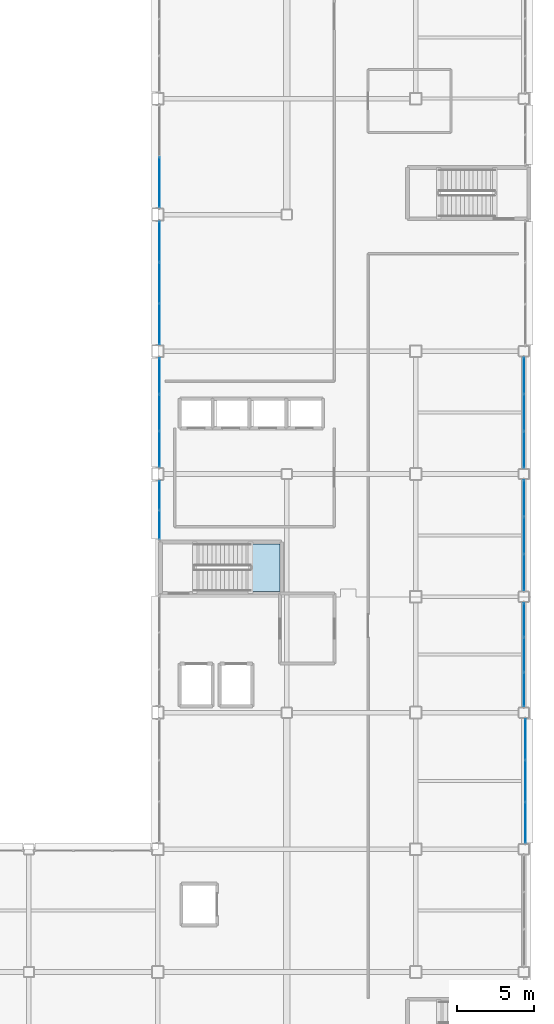
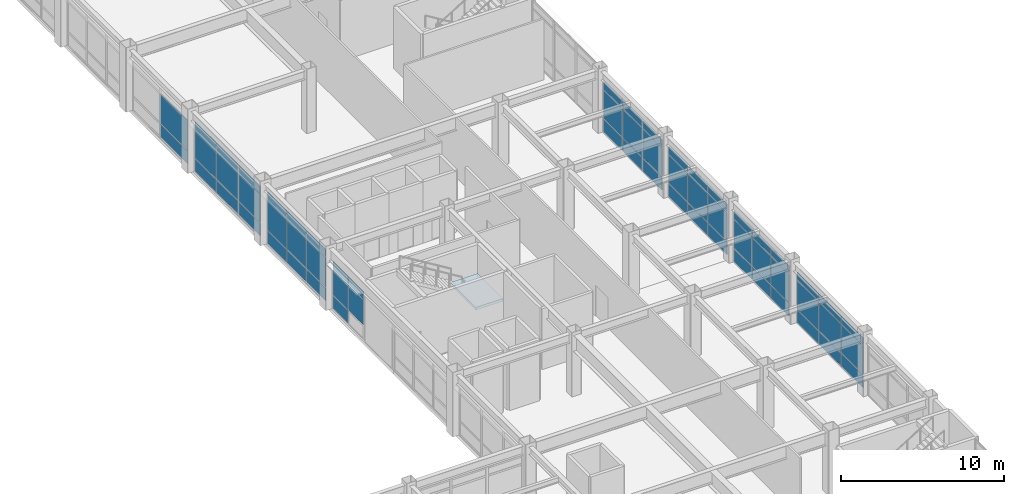
# One storey, part 126 of 154: 61 plates, 1 slab, 9 elements without a shape of their own.
"""IFC4 building model written with IfcOpenShell, lengths in metres."""

from ifc_helpers import new_model, si_unit, direction, frame, origin, origin_2d, place, context, subcontext, project, spatial, polyline, rectangle, outline, extrude, material, layer, layer_set, type_object, element, aggregate, save


model = new_model("IFC4")

# Units and contexts
model_context = context("Model", 3, precision=1e-05, world=origin(), true_north=direction((0.0, 1.0)))
body_context = subcontext(model_context, "Body", "Model", "MODEL_VIEW")
ifc_project = project(units=[si_unit("LENGTHUNIT", "METRE"), si_unit("AREAUNIT", "SQUARE_METRE"), si_unit("VOLUMEUNIT", "CUBIC_METRE"), si_unit("PLANEANGLEUNIT", "RADIAN"), si_unit("MASSUNIT", "GRAM", prefix="KILO")], contexts=[model_context])

# Site, building, storey
site_placement = place(None, origin())
site = spatial("IfcSite", under=ifc_project, at=site_placement, CompositionType="ELEMENT")
building_placement = place(site_placement, origin())
building = spatial("IfcBuilding", under=site, at=building_placement, Name="Kazehara Bluff Congress Hotel", CompositionType="ELEMENT")
storey_placement = place(building_placement, frame((0.0, 0.0, 10.199951171875)))
storey = spatial("IfcBuildingStorey", under=building, at=storey_placement, Name="L02", CompositionType="ELEMENT", Elevation=10.199951171875)

# Curtain wall, plates
ifc_material_1 = material(Name="Anodised aluminium", Category="aluminium")
ifc_layer_1 = layer(ifc_material_1, 0.159912109375)
ifc_layer_set_1 = layer_set([ifc_layer_1], Name="Anodised aluminium")
curtain_wall_type_1 = type_object("IfcCurtainWallType", Name="TP-CW-83", PredefinedType="NOTDEFINED", material=ifc_layer_set_1)
curtain_wall_1_placement = place(storey_placement, origin())
curtain_wall_1 = element("IfcCurtainWall", 1, at=curtain_wall_1_placement, inside=storey, type_object=curtain_wall_type_1, Name="L02 curtain wall CW-83 CW-V5-L02-X16755-4125", PredefinedType="NOTDEFINED")
ifc_material_2 = material(Name="Insulated low-E double glazing", Category="glass")
ifc_layer_2 = layer(ifc_material_2, 0.028076171875)
ifc_layer_set_2 = layer_set([ifc_layer_2], Name="Insulated low-E double glazing")
plate_type_1 = type_object("IfcPlateType", Name="TP-CWP-01", PredefinedType="CURTAIN_PANEL", material=ifc_layer_set_2)
plate_1_placement = place(storey_placement, frame((167.550048828125, 42.407958984375, 0.06494140625), z_axis=(0.0, 0.0, 1.0), x_axis=(0.0, 1.0, 0.0)))
plate_1 = element("IfcPlate", 2, at=plate_1_placement, type_object=plate_type_1, Name="CW-83 panel 1.1", PredefinedType="CURTAIN_PANEL", context=body_context, shape_type="SweptSolid", body=[
    extrude(rectangle(XDim=2.185791015625, YDim=0.028076171875, at=origin_2d()), origin(), (0.0, 0.0, 1.0), 0.952392578125),
])
plate_2_placement = place(storey_placement, frame((167.550048828125, 42.407958984375, 1.08251953125), z_axis=(0.0, 0.0, 1.0), x_axis=(0.0, 1.0, 0.0)))
plate_2 = element("IfcPlate", 3, at=plate_2_placement, type_object=plate_type_1, Name="CW-83 panel 1.2", PredefinedType="CURTAIN_PANEL", context=body_context, shape_type="SweptSolid", body=[
    extrude(rectangle(XDim=2.185791015625, YDim=0.028076171875, at=origin_2d()), origin(), (0.0, 0.0, 1.0), 2.1201171875),
])
plate_3_placement = place(storey_placement, frame((167.550048828125, 42.407958984375, 3.267578125), z_axis=(0.0, 0.0, 1.0), x_axis=(0.0, 1.0, 0.0)))
plate_3 = element("IfcPlate", 4, at=plate_3_placement, type_object=plate_type_1, Name="CW-83 panel 1.3", PredefinedType="CURTAIN_PANEL", context=body_context, shape_type="SweptSolid", body=[
    extrude(rectangle(XDim=2.185791015625, YDim=0.028076171875, at=origin_2d()), origin(), (0.0, 0.0, 1.0), 0.552490234375),
])
plate_4_placement = place(storey_placement, frame((167.550048828125, 44.675048828125, 0.06494140625), z_axis=(0.0, 0.0, 1.0), x_axis=(0.0, 1.0, 0.0)))
plate_4 = element("IfcPlate", 5, at=plate_4_placement, type_object=plate_type_1, Name="CW-83 panel 2.1", PredefinedType="CURTAIN_PANEL", context=body_context, shape_type="SweptSolid", body=[
    extrude(rectangle(XDim=2.21826171875, YDim=0.028076171875, at=origin_2d()), origin(), (0.0, 0.0, 1.0), 0.952392578125),
])
plate_5_placement = place(storey_placement, frame((167.550048828125, 44.675048828125, 1.08251953125), z_axis=(0.0, 0.0, 1.0), x_axis=(0.0, 1.0, 0.0)))
plate_5 = element("IfcPlate", 6, at=plate_5_placement, type_object=plate_type_1, Name="CW-83 panel 2.2", PredefinedType="CURTAIN_PANEL", context=body_context, shape_type="SweptSolid", body=[
    extrude(rectangle(XDim=2.21826171875, YDim=0.028076171875, at=origin_2d()), origin(), (0.0, 0.0, 1.0), 2.1201171875),
])
plate_6_placement = place(storey_placement, frame((167.550048828125, 44.675048828125, 3.267578125), z_axis=(0.0, 0.0, 1.0), x_axis=(0.0, 1.0, 0.0)))
plate_6 = element("IfcPlate", 7, at=plate_6_placement, type_object=plate_type_1, Name="CW-83 panel 2.3", PredefinedType="CURTAIN_PANEL", context=body_context, shape_type="SweptSolid", body=[
    extrude(rectangle(XDim=2.21826171875, YDim=0.028076171875, at=origin_2d()), origin(), (0.0, 0.0, 1.0), 0.552490234375),
])
plate_7_placement = place(storey_placement, frame((167.550048828125, 46.942138671875, 0.06494140625), z_axis=(0.0, 0.0, 1.0), x_axis=(0.0, 1.0, 0.0)))
plate_7 = element("IfcPlate", 8, at=plate_7_placement, type_object=plate_type_1, Name="CW-83 panel 3.1", PredefinedType="CURTAIN_PANEL", context=body_context, shape_type="SweptSolid", body=[
    extrude(rectangle(XDim=2.185791015625, YDim=0.028076171875, at=origin_2d()), origin(), (0.0, 0.0, 1.0), 0.952392578125),
])
plate_8_placement = place(storey_placement, frame((167.550048828125, 46.942138671875, 1.08251953125), z_axis=(0.0, 0.0, 1.0), x_axis=(0.0, 1.0, 0.0)))
plate_8 = element("IfcPlate", 9, at=plate_8_placement, type_object=plate_type_1, Name="CW-83 panel 3.2", PredefinedType="CURTAIN_PANEL", context=body_context, shape_type="SweptSolid", body=[
    extrude(rectangle(XDim=2.185791015625, YDim=0.028076171875, at=origin_2d()), origin(), (0.0, 0.0, 1.0), 2.1201171875),
])
plate_9_placement = place(storey_placement, frame((167.550048828125, 46.942138671875, 3.267578125), z_axis=(0.0, 0.0, 1.0), x_axis=(0.0, 1.0, 0.0)))
plate_9 = element("IfcPlate", 10, at=plate_9_placement, type_object=plate_type_1, Name="CW-83 panel 3.3", PredefinedType="CURTAIN_PANEL", context=body_context, shape_type="SweptSolid", body=[
    extrude(rectangle(XDim=2.185791015625, YDim=0.028076171875, at=origin_2d()), origin(), (0.0, 0.0, 1.0), 0.552490234375),
])
aggregate(curtain_wall_1, [plate_1, plate_2, plate_3, plate_4, plate_5, plate_6, plate_7, plate_8, plate_9])

ifc_material_3 = material(Name="Anodised aluminium", Category="aluminium")
ifc_layer_3 = layer(ifc_material_3, 0.159912109375)
ifc_layer_set_3 = layer_set([ifc_layer_3], Name="Anodised aluminium")
curtain_wall_type_2 = type_object("IfcCurtainWallType", Name="TP-CW-80", PredefinedType="NOTDEFINED", material=ifc_layer_set_3)
curtain_wall_2_placement = place(storey_placement, origin())
curtain_wall_2 = element("IfcCurtainWall", 11, at=curtain_wall_2_placement, inside=storey, type_object=curtain_wall_type_2, Name="L02 curtain wall CW-80 CW-V5-L02-X16755-4880", PredefinedType="NOTDEFINED")
plate_10_placement = place(storey_placement, frame((167.550048828125, 50.032958984375, 0.06494140625), z_axis=(0.0, 0.0, 1.0), x_axis=(0.0, 1.0, 0.0)))
plate_10 = element("IfcPlate", 12, at=plate_10_placement, type_object=plate_type_1, Name="CW-80 panel 1.1", PredefinedType="CURTAIN_PANEL", context=body_context, shape_type="SweptSolid", body=[
    extrude(rectangle(XDim=2.3359375, YDim=0.028076171875, at=origin_2d()), origin(), (0.0, 0.0, 1.0), 0.952392578125),
])
plate_11_placement = place(storey_placement, frame((167.550048828125, 50.032958984375, 1.08251953125), z_axis=(0.0, 0.0, 1.0), x_axis=(0.0, 1.0, 0.0)))
plate_11 = element("IfcPlate", 13, at=plate_11_placement, type_object=plate_type_1, Name="CW-80 panel 1.2", PredefinedType="CURTAIN_PANEL", context=body_context, shape_type="SweptSolid", body=[
    extrude(rectangle(XDim=2.3359375, YDim=0.028076171875, at=origin_2d()), origin(), (0.0, 0.0, 1.0), 2.1201171875),
])
plate_12_placement = place(storey_placement, frame((167.550048828125, 50.032958984375, 3.267578125), z_axis=(0.0, 0.0, 1.0), x_axis=(0.0, 1.0, 0.0)))
plate_12 = element("IfcPlate", 14, at=plate_12_placement, type_object=plate_type_1, Name="CW-80 panel 1.3", PredefinedType="CURTAIN_PANEL", context=body_context, shape_type="SweptSolid", body=[
    extrude(rectangle(XDim=2.3359375, YDim=0.028076171875, at=origin_2d()), origin(), (0.0, 0.0, 1.0), 0.552490234375),
])
plate_13_placement = place(storey_placement, frame((167.550048828125, 52.449951171875, 0.06494140625), z_axis=(0.0, 0.0, 1.0), x_axis=(0.0, 1.0, 0.0)))
plate_13 = element("IfcPlate", 15, at=plate_13_placement, type_object=plate_type_1, Name="CW-80 panel 2.1", PredefinedType="CURTAIN_PANEL", context=body_context, shape_type="SweptSolid", body=[
    extrude(rectangle(XDim=2.368408203125, YDim=0.028076171875, at=origin_2d()), origin(), (0.0, 0.0, 1.0), 0.952392578125),
])
plate_14_placement = place(storey_placement, frame((167.550048828125, 52.449951171875, 1.08251953125), z_axis=(0.0, 0.0, 1.0), x_axis=(0.0, 1.0, 0.0)))
plate_14 = element("IfcPlate", 16, at=plate_14_placement, type_object=plate_type_1, Name="CW-80 panel 2.2", PredefinedType="CURTAIN_PANEL", context=body_context, shape_type="SweptSolid", body=[
    extrude(rectangle(XDim=2.368408203125, YDim=0.028076171875, at=origin_2d()), origin(), (0.0, 0.0, 1.0), 2.1201171875),
])
plate_15_placement = place(storey_placement, frame((167.550048828125, 52.449951171875, 3.267578125), z_axis=(0.0, 0.0, 1.0), x_axis=(0.0, 1.0, 0.0)))
plate_15 = element("IfcPlate", 17, at=plate_15_placement, type_object=plate_type_1, Name="CW-80 panel 2.3", PredefinedType="CURTAIN_PANEL", context=body_context, shape_type="SweptSolid", body=[
    extrude(rectangle(XDim=2.368408203125, YDim=0.028076171875, at=origin_2d()), origin(), (0.0, 0.0, 1.0), 0.552490234375),
])
plate_16_placement = place(storey_placement, frame((167.550048828125, 54.8671875, 0.06494140625), z_axis=(0.0, 0.0, 1.0), x_axis=(0.0, 1.0, 0.0)))
plate_16 = element("IfcPlate", 18, at=plate_16_placement, type_object=plate_type_1, Name="CW-80 panel 3.1", PredefinedType="CURTAIN_PANEL", context=body_context, shape_type="SweptSolid", body=[
    extrude(rectangle(XDim=2.3359375, YDim=0.028076171875, at=origin_2d()), origin(), (0.0, 0.0, 1.0), 0.952392578125),
])
plate_17_placement = place(storey_placement, frame((167.550048828125, 54.8671875, 1.08251953125), z_axis=(0.0, 0.0, 1.0), x_axis=(0.0, 1.0, 0.0)))
plate_17 = element("IfcPlate", 19, at=plate_17_placement, type_object=plate_type_1, Name="CW-80 panel 3.2", PredefinedType="CURTAIN_PANEL", context=body_context, shape_type="SweptSolid", body=[
    extrude(rectangle(XDim=2.3359375, YDim=0.028076171875, at=origin_2d()), origin(), (0.0, 0.0, 1.0), 2.1201171875),
])
plate_18_placement = place(storey_placement, frame((167.550048828125, 54.8671875, 3.267578125), z_axis=(0.0, 0.0, 1.0), x_axis=(0.0, 1.0, 0.0)))
plate_18 = element("IfcPlate", 20, at=plate_18_placement, type_object=plate_type_1, Name="CW-80 panel 3.3", PredefinedType="CURTAIN_PANEL", context=body_context, shape_type="SweptSolid", body=[
    extrude(rectangle(XDim=2.3359375, YDim=0.028076171875, at=origin_2d()), origin(), (0.0, 0.0, 1.0), 0.552490234375),
])
aggregate(curtain_wall_2, [plate_10, plate_11, plate_12, plate_13, plate_14, plate_15, plate_16, plate_17, plate_18])

curtain_wall_3_placement = place(storey_placement, origin())
curtain_wall_3 = element("IfcCurtainWall", 21, at=curtain_wall_3_placement, inside=storey, type_object=curtain_wall_type_2, Name="L02 curtain wall CW-80 CW-V5-L02-X16755-5680", PredefinedType="NOTDEFINED")
plate_19_placement = place(storey_placement, frame((167.550048828125, 58.032958984375, 0.06494140625), z_axis=(0.0, 0.0, 1.0), x_axis=(0.0, 1.0, 0.0)))
plate_19 = element("IfcPlate", 22, at=plate_19_placement, type_object=plate_type_1, Name="CW-80 panel 1.1", PredefinedType="CURTAIN_PANEL", context=body_context, shape_type="SweptSolid", body=[
    extrude(rectangle(XDim=2.3359375, YDim=0.028076171875, at=origin_2d()), origin(), (0.0, 0.0, 1.0), 0.952392578125),
])
plate_20_placement = place(storey_placement, frame((167.550048828125, 58.032958984375, 1.08251953125), z_axis=(0.0, 0.0, 1.0), x_axis=(0.0, 1.0, 0.0)))
plate_20 = element("IfcPlate", 23, at=plate_20_placement, type_object=plate_type_1, Name="CW-80 panel 1.2", PredefinedType="CURTAIN_PANEL", context=body_context, shape_type="SweptSolid", body=[
    extrude(rectangle(XDim=2.3359375, YDim=0.028076171875, at=origin_2d()), origin(), (0.0, 0.0, 1.0), 2.1201171875),
])
plate_21_placement = place(storey_placement, frame((167.550048828125, 58.032958984375, 3.267578125), z_axis=(0.0, 0.0, 1.0), x_axis=(0.0, 1.0, 0.0)))
plate_21 = element("IfcPlate", 24, at=plate_21_placement, type_object=plate_type_1, Name="CW-80 panel 1.3", PredefinedType="CURTAIN_PANEL", context=body_context, shape_type="SweptSolid", body=[
    extrude(rectangle(XDim=2.3359375, YDim=0.028076171875, at=origin_2d()), origin(), (0.0, 0.0, 1.0), 0.552490234375),
])
plate_22_placement = place(storey_placement, frame((167.550048828125, 60.449951171875, 0.06494140625), z_axis=(0.0, 0.0, 1.0), x_axis=(0.0, 1.0, 0.0)))
plate_22 = element("IfcPlate", 25, at=plate_22_placement, type_object=plate_type_1, Name="CW-80 panel 2.1", PredefinedType="CURTAIN_PANEL", context=body_context, shape_type="SweptSolid", body=[
    extrude(rectangle(XDim=2.368408203125, YDim=0.028076171875, at=origin_2d()), origin(), (0.0, 0.0, 1.0), 0.952392578125),
])
plate_23_placement = place(storey_placement, frame((167.550048828125, 60.449951171875, 1.08251953125), z_axis=(0.0, 0.0, 1.0), x_axis=(0.0, 1.0, 0.0)))
plate_23 = element("IfcPlate", 26, at=plate_23_placement, type_object=plate_type_1, Name="CW-80 panel 2.2", PredefinedType="CURTAIN_PANEL", context=body_context, shape_type="SweptSolid", body=[
    extrude(rectangle(XDim=2.368408203125, YDim=0.028076171875, at=origin_2d()), origin(), (0.0, 0.0, 1.0), 2.1201171875),
])
plate_24_placement = place(storey_placement, frame((167.550048828125, 60.449951171875, 3.267578125), z_axis=(0.0, 0.0, 1.0), x_axis=(0.0, 1.0, 0.0)))
plate_24 = element("IfcPlate", 27, at=plate_24_placement, type_object=plate_type_1, Name="CW-80 panel 2.3", PredefinedType="CURTAIN_PANEL", context=body_context, shape_type="SweptSolid", body=[
    extrude(rectangle(XDim=2.368408203125, YDim=0.028076171875, at=origin_2d()), origin(), (0.0, 0.0, 1.0), 0.552490234375),
])
plate_25_placement = place(storey_placement, frame((167.550048828125, 62.8671875, 0.06494140625), z_axis=(0.0, 0.0, 1.0), x_axis=(0.0, 1.0, 0.0)))
plate_25 = element("IfcPlate", 28, at=plate_25_placement, type_object=plate_type_1, Name="CW-80 panel 3.1", PredefinedType="CURTAIN_PANEL", context=body_context, shape_type="SweptSolid", body=[
    extrude(rectangle(XDim=2.3359375, YDim=0.028076171875, at=origin_2d()), origin(), (0.0, 0.0, 1.0), 0.952392578125),
])
plate_26_placement = place(storey_placement, frame((167.550048828125, 62.8671875, 1.08251953125), z_axis=(0.0, 0.0, 1.0), x_axis=(0.0, 1.0, 0.0)))
plate_26 = element("IfcPlate", 29, at=plate_26_placement, type_object=plate_type_1, Name="CW-80 panel 3.2", PredefinedType="CURTAIN_PANEL", context=body_context, shape_type="SweptSolid", body=[
    extrude(rectangle(XDim=2.3359375, YDim=0.028076171875, at=origin_2d()), origin(), (0.0, 0.0, 1.0), 2.1201171875),
])
plate_27_placement = place(storey_placement, frame((167.550048828125, 62.8671875, 3.267578125), z_axis=(0.0, 0.0, 1.0), x_axis=(0.0, 1.0, 0.0)))
plate_27 = element("IfcPlate", 30, at=plate_27_placement, type_object=plate_type_1, Name="CW-80 panel 3.3", PredefinedType="CURTAIN_PANEL", context=body_context, shape_type="SweptSolid", body=[
    extrude(rectangle(XDim=2.3359375, YDim=0.028076171875, at=origin_2d()), origin(), (0.0, 0.0, 1.0), 0.552490234375),
])
aggregate(curtain_wall_3, [plate_19, plate_20, plate_21, plate_22, plate_23, plate_24, plate_25, plate_26, plate_27])

ifc_material_4 = material(Name="Anodised aluminium", Category="aluminium")
ifc_layer_4 = layer(ifc_material_4, 0.159912109375)
ifc_layer_set_4 = layer_set([ifc_layer_4], Name="Anodised aluminium")
curtain_wall_type_3 = type_object("IfcCurtainWallType", Name="TP-CW-114", PredefinedType="NOTDEFINED", material=ifc_layer_set_4)
curtain_wall_4_placement = place(storey_placement, origin())
curtain_wall_4 = element("IfcCurtainWall", 31, at=curtain_wall_4_placement, inside=storey, type_object=curtain_wall_type_3, Name="L02 curtain wall CW-114 CW-ENC-V5-L02-16765-3645", PredefinedType="NOTDEFINED")
plate_28_placement = place(storey_placement, frame((167.64990234375, 39.1669921875, 0.06494140625), z_axis=(0.0, 0.0, 1.0), x_axis=(0.0, -1.0, 0.0)))
plate_28 = element("IfcPlate", 32, at=plate_28_placement, type_object=plate_type_1, Name="CW-114 panel 1.1", PredefinedType="CURTAIN_PANEL", context=body_context, shape_type="SweptSolid", body=[
    extrude(rectangle(XDim=2.6357421875, YDim=0.028076171875, at=origin_2d()), origin(), (0.0, 0.0, 1.0), 0.952392578125),
])
plate_29_placement = place(storey_placement, frame((167.64990234375, 39.1669921875, 1.08251953125), z_axis=(0.0, 0.0, 1.0), x_axis=(0.0, -1.0, 0.0)))
plate_29 = element("IfcPlate", 33, at=plate_29_placement, type_object=plate_type_1, Name="CW-114 panel 1.2", PredefinedType="CURTAIN_PANEL", context=body_context, shape_type="SweptSolid", body=[
    extrude(rectangle(XDim=2.6357421875, YDim=0.028076171875, at=origin_2d()), origin(), (0.0, 0.0, 1.0), 2.1201171875),
])
plate_30_placement = place(storey_placement, frame((167.64990234375, 39.1669921875, 3.267578125), z_axis=(0.0, 0.0, 1.0), x_axis=(0.0, -1.0, 0.0)))
plate_30 = element("IfcPlate", 34, at=plate_30_placement, type_object=plate_type_1, Name="CW-114 panel 1.3", PredefinedType="CURTAIN_PANEL", context=body_context, shape_type="SweptSolid", body=[
    extrude(rectangle(XDim=2.6357421875, YDim=0.028076171875, at=origin_2d()), origin(), (0.0, 0.0, 1.0), 0.552490234375),
])
plate_31_placement = place(storey_placement, frame((167.64990234375, 36.449951171875, 0.06494140625), z_axis=(0.0, 0.0, 1.0), x_axis=(0.0, -1.0, 0.0)))
plate_31 = element("IfcPlate", 35, at=plate_31_placement, type_object=plate_type_1, Name="CW-114 panel 2.1", PredefinedType="CURTAIN_PANEL", context=body_context, shape_type="SweptSolid", body=[
    extrude(rectangle(XDim=2.668212890625, YDim=0.028076171875, at=origin_2d()), origin(), (0.0, 0.0, 1.0), 0.952392578125),
])
plate_32_placement = place(storey_placement, frame((167.64990234375, 36.449951171875, 1.08251953125), z_axis=(0.0, 0.0, 1.0), x_axis=(0.0, -1.0, 0.0)))
plate_32 = element("IfcPlate", 36, at=plate_32_placement, type_object=plate_type_1, Name="CW-114 panel 2.2", PredefinedType="CURTAIN_PANEL", context=body_context, shape_type="SweptSolid", body=[
    extrude(rectangle(XDim=2.668212890625, YDim=0.028076171875, at=origin_2d()), origin(), (0.0, 0.0, 1.0), 2.1201171875),
])
plate_33_placement = place(storey_placement, frame((167.64990234375, 36.449951171875, 3.267578125), z_axis=(0.0, 0.0, 1.0), x_axis=(0.0, -1.0, 0.0)))
plate_33 = element("IfcPlate", 37, at=plate_33_placement, type_object=plate_type_1, Name="CW-114 panel 2.3", PredefinedType="CURTAIN_PANEL", context=body_context, shape_type="SweptSolid", body=[
    extrude(rectangle(XDim=2.668212890625, YDim=0.028076171875, at=origin_2d()), origin(), (0.0, 0.0, 1.0), 0.552490234375),
])
plate_34_placement = place(storey_placement, frame((167.64990234375, 33.73291015625, 0.06494140625), z_axis=(0.0, 0.0, 1.0), x_axis=(0.0, -1.0, 0.0)))
plate_34 = element("IfcPlate", 38, at=plate_34_placement, type_object=plate_type_1, Name="CW-114 panel 3.1", PredefinedType="CURTAIN_PANEL", context=body_context, shape_type="SweptSolid", body=[
    extrude(rectangle(XDim=2.6357421875, YDim=0.028076171875, at=origin_2d()), origin(), (0.0, 0.0, 1.0), 0.952392578125),
])
plate_35_placement = place(storey_placement, frame((167.64990234375, 33.73291015625, 1.08251953125), z_axis=(0.0, 0.0, 1.0), x_axis=(0.0, -1.0, 0.0)))
plate_35 = element("IfcPlate", 39, at=plate_35_placement, type_object=plate_type_1, Name="CW-114 panel 3.2", PredefinedType="CURTAIN_PANEL", context=body_context, shape_type="SweptSolid", body=[
    extrude(rectangle(XDim=2.6357421875, YDim=0.028076171875, at=origin_2d()), origin(), (0.0, 0.0, 1.0), 2.1201171875),
])
plate_36_placement = place(storey_placement, frame((167.64990234375, 33.73291015625, 3.267578125), z_axis=(0.0, 0.0, 1.0), x_axis=(0.0, -1.0, 0.0)))
plate_36 = element("IfcPlate", 40, at=plate_36_placement, type_object=plate_type_1, Name="CW-114 panel 3.3", PredefinedType="CURTAIN_PANEL", context=body_context, shape_type="SweptSolid", body=[
    extrude(rectangle(XDim=2.6357421875, YDim=0.028076171875, at=origin_2d()), origin(), (0.0, 0.0, 1.0), 0.552490234375),
])
aggregate(curtain_wall_4, [plate_28, plate_29, plate_30, plate_31, plate_32, plate_33, plate_34, plate_35, plate_36])

ifc_material_5 = material(Name="Anodised aluminium", Category="aluminium")
ifc_layer_5 = layer(ifc_material_5, 0.159912109375)
ifc_layer_set_5 = layer_set([ifc_layer_5], Name="Anodised aluminium")
curtain_wall_type_4 = type_object("IfcCurtainWallType", Name="TP-CW-120", PredefinedType="NOTDEFINED", material=ifc_layer_set_5)
curtain_wall_5_placement = place(storey_placement, origin())
curtain_wall_5 = element("IfcCurtainWall", 41, at=curtain_wall_5_placement, inside=storey, type_object=curtain_wall_type_4, Name="L02 curtain wall CW-120 CW-ENC-V5-L02-14380-6045", PredefinedType="NOTDEFINED")
plate_37_placement = place(storey_placement, frame((143.800048828125, 58.066162109375, 0.06494140625), z_axis=(0.0, 0.0, 1.0), x_axis=(0.0, 1.0, 0.0)))
plate_37 = element("IfcPlate", 42, at=plate_37_placement, type_object=plate_type_1, Name="CW-120 panel 1.1", PredefinedType="CURTAIN_PANEL", context=body_context, shape_type="SweptSolid", body=[
    extrude(rectangle(XDim=2.302490234375, YDim=0.028076171875, at=origin_2d()), origin(), (0.0, 0.0, 1.0), 0.952392578125),
])
plate_38_placement = place(storey_placement, frame((143.800048828125, 58.066162109375, 1.08251953125), z_axis=(0.0, 0.0, 1.0), x_axis=(0.0, 1.0, 0.0)))
plate_38 = element("IfcPlate", 43, at=plate_38_placement, type_object=plate_type_1, Name="CW-120 panel 1.2", PredefinedType="CURTAIN_PANEL", context=body_context, shape_type="SweptSolid", body=[
    extrude(rectangle(XDim=2.302490234375, YDim=0.028076171875, at=origin_2d()), origin(), (0.0, 0.0, 1.0), 2.219970703125),
])
plate_39_placement = place(storey_placement, frame((143.800048828125, 58.066162109375, 3.36767578125), z_axis=(0.0, 0.0, 1.0), x_axis=(0.0, 1.0, 0.0)))
plate_39 = element("IfcPlate", 44, at=plate_39_placement, type_object=plate_type_1, Name="CW-120 panel 1.3", PredefinedType="CURTAIN_PANEL", context=body_context, shape_type="SweptSolid", body=[
    extrude(rectangle(XDim=2.302490234375, YDim=0.028076171875, at=origin_2d()), origin(), (0.0, 0.0, 1.0), 0.552490234375),
])
plate_40_placement = place(storey_placement, frame((143.800048828125, 60.449951171875, 0.06494140625), z_axis=(0.0, 0.0, 1.0), x_axis=(0.0, 1.0, 0.0)))
plate_40 = element("IfcPlate", 45, at=plate_40_placement, type_object=plate_type_1, Name="CW-120 panel 2.1", PredefinedType="CURTAIN_PANEL", context=body_context, shape_type="SweptSolid", body=[
    extrude(rectangle(XDim=2.3349609375, YDim=0.028076171875, at=origin_2d()), origin(), (0.0, 0.0, 1.0), 0.952392578125),
])
plate_41_placement = place(storey_placement, frame((143.800048828125, 60.449951171875, 1.08251953125), z_axis=(0.0, 0.0, 1.0), x_axis=(0.0, 1.0, 0.0)))
plate_41 = element("IfcPlate", 46, at=plate_41_placement, type_object=plate_type_1, Name="CW-120 panel 2.2", PredefinedType="CURTAIN_PANEL", context=body_context, shape_type="SweptSolid", body=[
    extrude(rectangle(XDim=2.3349609375, YDim=0.028076171875, at=origin_2d()), origin(), (0.0, 0.0, 1.0), 2.219970703125),
])
plate_42_placement = place(storey_placement, frame((143.800048828125, 60.449951171875, 3.36767578125), z_axis=(0.0, 0.0, 1.0), x_axis=(0.0, 1.0, 0.0)))
plate_42 = element("IfcPlate", 47, at=plate_42_placement, type_object=plate_type_1, Name="CW-120 panel 2.3", PredefinedType="CURTAIN_PANEL", context=body_context, shape_type="SweptSolid", body=[
    extrude(rectangle(XDim=2.3349609375, YDim=0.028076171875, at=origin_2d()), origin(), (0.0, 0.0, 1.0), 0.552490234375),
])
plate_43_placement = place(storey_placement, frame((143.800048828125, 62.833740234375, 0.06494140625), z_axis=(0.0, 0.0, 1.0), x_axis=(0.0, 1.0, 0.0)))
plate_43 = element("IfcPlate", 48, at=plate_43_placement, type_object=plate_type_1, Name="CW-120 panel 3.1", PredefinedType="CURTAIN_PANEL", context=body_context, shape_type="SweptSolid", body=[
    extrude(rectangle(XDim=2.302490234375, YDim=0.028076171875, at=origin_2d()), origin(), (0.0, 0.0, 1.0), 0.952392578125),
])
plate_44_placement = place(storey_placement, frame((143.800048828125, 62.833740234375, 1.08251953125), z_axis=(0.0, 0.0, 1.0), x_axis=(0.0, 1.0, 0.0)))
plate_44 = element("IfcPlate", 49, at=plate_44_placement, type_object=plate_type_1, Name="CW-120 panel 3.2", PredefinedType="CURTAIN_PANEL", context=body_context, shape_type="SweptSolid", body=[
    extrude(rectangle(XDim=2.302490234375, YDim=0.028076171875, at=origin_2d()), origin(), (0.0, 0.0, 1.0), 2.219970703125),
])
plate_45_placement = place(storey_placement, frame((143.800048828125, 62.833740234375, 3.36767578125), z_axis=(0.0, 0.0, 1.0), x_axis=(0.0, 1.0, 0.0)))
plate_45 = element("IfcPlate", 50, at=plate_45_placement, type_object=plate_type_1, Name="CW-120 panel 3.3", PredefinedType="CURTAIN_PANEL", context=body_context, shape_type="SweptSolid", body=[
    extrude(rectangle(XDim=2.302490234375, YDim=0.028076171875, at=origin_2d()), origin(), (0.0, 0.0, 1.0), 0.552490234375),
])
aggregate(curtain_wall_5, [plate_37, plate_38, plate_39, plate_40, plate_41, plate_42, plate_43, plate_44, plate_45])

ifc_material_6 = material(Name="Anodised aluminium", Category="aluminium")
ifc_layer_6 = layer(ifc_material_6, 0.159912109375)
ifc_layer_set_6 = layer_set([ifc_layer_6], Name="Anodised aluminium")
curtain_wall_type_5 = type_object("IfcCurtainWallType", Name="TP-CW-121", PredefinedType="NOTDEFINED", material=ifc_layer_set_6)
curtain_wall_6_placement = place(storey_placement, origin())
curtain_wall_6 = element("IfcCurtainWall", 51, at=curtain_wall_6_placement, inside=storey, type_object=curtain_wall_type_5, Name="L02 curtain wall CW-121 CW-ENC-V5-L02-14380-6890", PredefinedType="NOTDEFINED")
plate_46_placement = place(storey_placement, frame((143.800048828125, 66.21630859375, 0.06494140625), z_axis=(0.0, 0.0, 1.0), x_axis=(0.0, 1.0, 0.0)))
plate_46 = element("IfcPlate", 52, at=plate_46_placement, type_object=plate_type_1, Name="CW-121 panel 1.1", PredefinedType="CURTAIN_PANEL", context=body_context, shape_type="SweptSolid", body=[
    extrude(rectangle(XDim=2.6025390625, YDim=0.028076171875, at=origin_2d()), origin(), (0.0, 0.0, 1.0), 0.952392578125),
])
plate_47_placement = place(storey_placement, frame((143.800048828125, 66.21630859375, 1.08251953125), z_axis=(0.0, 0.0, 1.0), x_axis=(0.0, 1.0, 0.0)))
plate_47 = element("IfcPlate", 53, at=plate_47_placement, type_object=plate_type_1, Name="CW-121 panel 1.2", PredefinedType="CURTAIN_PANEL", context=body_context, shape_type="SweptSolid", body=[
    extrude(rectangle(XDim=2.6025390625, YDim=0.028076171875, at=origin_2d()), origin(), (0.0, 0.0, 1.0), 2.070068359375),
])
plate_48_placement = place(storey_placement, frame((143.800048828125, 66.21630859375, 3.2177734375), z_axis=(0.0, 0.0, 1.0), x_axis=(0.0, 1.0, 0.0)))
plate_48 = element("IfcPlate", 54, at=plate_48_placement, type_object=plate_type_1, Name="CW-121 panel 1.3", PredefinedType="CURTAIN_PANEL", context=body_context, shape_type="SweptSolid", body=[
    extrude(rectangle(XDim=2.6025390625, YDim=0.028076171875, at=origin_2d()), origin(), (0.0, 0.0, 1.0), 0.552490234375),
])
plate_49_placement = place(storey_placement, frame((143.800048828125, 68.89990234375, 0.06494140625), z_axis=(0.0, 0.0, 1.0), x_axis=(0.0, 1.0, 0.0)))
plate_49 = element("IfcPlate", 55, at=plate_49_placement, type_object=plate_type_1, Name="CW-121 panel 2.1", PredefinedType="CURTAIN_PANEL", context=body_context, shape_type="SweptSolid", body=[
    extrude(rectangle(XDim=2.635009765625, YDim=0.028076171875, at=origin_2d()), origin(), (0.0, 0.0, 1.0), 0.952392578125),
])
plate_50_placement = place(storey_placement, frame((143.800048828125, 68.89990234375, 1.08251953125), z_axis=(0.0, 0.0, 1.0), x_axis=(0.0, 1.0, 0.0)))
plate_50 = element("IfcPlate", 56, at=plate_50_placement, type_object=plate_type_1, Name="CW-121 panel 2.2", PredefinedType="CURTAIN_PANEL", context=body_context, shape_type="SweptSolid", body=[
    extrude(rectangle(XDim=2.635009765625, YDim=0.028076171875, at=origin_2d()), origin(), (0.0, 0.0, 1.0), 2.070068359375),
])
plate_51_placement = place(storey_placement, frame((143.800048828125, 68.89990234375, 3.2177734375), z_axis=(0.0, 0.0, 1.0), x_axis=(0.0, 1.0, 0.0)))
plate_51 = element("IfcPlate", 57, at=plate_51_placement, type_object=plate_type_1, Name="CW-121 panel 2.3", PredefinedType="CURTAIN_PANEL", context=body_context, shape_type="SweptSolid", body=[
    extrude(rectangle(XDim=2.635009765625, YDim=0.028076171875, at=origin_2d()), origin(), (0.0, 0.0, 1.0), 0.552490234375),
])
plate_52_placement = place(storey_placement, frame((143.800048828125, 71.583740234375, 0.06494140625), z_axis=(0.0, 0.0, 1.0), x_axis=(0.0, 1.0, 0.0)))
plate_52 = element("IfcPlate", 58, at=plate_52_placement, type_object=plate_type_1, Name="CW-121 panel 3.1", PredefinedType="CURTAIN_PANEL", context=body_context, shape_type="SweptSolid", body=[
    extrude(rectangle(XDim=2.6025390625, YDim=0.028076171875, at=origin_2d()), origin(), (0.0, 0.0, 1.0), 0.952392578125),
])
plate_53_placement = place(storey_placement, frame((143.800048828125, 71.583740234375, 1.08251953125), z_axis=(0.0, 0.0, 1.0), x_axis=(0.0, 1.0, 0.0)))
plate_53 = element("IfcPlate", 59, at=plate_53_placement, type_object=plate_type_1, Name="CW-121 panel 3.2", PredefinedType="CURTAIN_PANEL", context=body_context, shape_type="SweptSolid", body=[
    extrude(rectangle(XDim=2.6025390625, YDim=0.028076171875, at=origin_2d()), origin(), (0.0, 0.0, 1.0), 2.070068359375),
])
plate_54_placement = place(storey_placement, frame((143.800048828125, 71.583740234375, 3.2177734375), z_axis=(0.0, 0.0, 1.0), x_axis=(0.0, 1.0, 0.0)))
plate_54 = element("IfcPlate", 60, at=plate_54_placement, type_object=plate_type_1, Name="CW-121 panel 3.3", PredefinedType="CURTAIN_PANEL", context=body_context, shape_type="SweptSolid", body=[
    extrude(rectangle(XDim=2.6025390625, YDim=0.028076171875, at=origin_2d()), origin(), (0.0, 0.0, 1.0), 0.552490234375),
])
aggregate(curtain_wall_6, [plate_46, plate_47, plate_48, plate_49, plate_50, plate_51, plate_52, plate_53, plate_54])

ifc_material_7 = material(Name="Anodised aluminium", Category="aluminium")
ifc_layer_7 = layer(ifc_material_7, 0.159912109375)
ifc_layer_set_7 = layer_set([ifc_layer_7], Name="Anodised aluminium")
curtain_wall_type_6 = type_object("IfcCurtainWallType", Name="TP-CW-122", PredefinedType="NOTDEFINED", material=ifc_layer_set_7)
curtain_wall_7_placement = place(storey_placement, origin())
curtain_wall_7 = element("IfcCurtainWall", 61, at=curtain_wall_7_placement, inside=storey, type_object=curtain_wall_type_6, Name="L02 curtain wall CW-122 CW-ENC-V5-L02-14380-7712", PredefinedType="NOTDEFINED")
plate_55_placement = place(storey_placement, frame((143.800048828125, 75.453857421875, 0.06494140625), z_axis=(0.0, 0.0, 1.0), x_axis=(0.0, 1.0, 0.0)))
plate_55 = element("IfcPlate", 62, at=plate_55_placement, type_object=plate_type_1, Name="CW-122 panel 1.1", PredefinedType="CURTAIN_PANEL", context=body_context, shape_type="SweptSolid", body=[
    extrude(rectangle(XDim=3.277587890625, YDim=0.028076171875, at=origin_2d()), origin(), (0.0, 0.0, 1.0), 0.952392578125),
])
plate_56_placement = place(storey_placement, frame((143.800048828125, 75.453857421875, 1.08251953125), z_axis=(0.0, 0.0, 1.0), x_axis=(0.0, 1.0, 0.0)))
plate_56 = element("IfcPlate", 63, at=plate_56_placement, type_object=plate_type_1, Name="CW-122 panel 1.2", PredefinedType="CURTAIN_PANEL", context=body_context, shape_type="SweptSolid", body=[
    extrude(rectangle(XDim=3.277587890625, YDim=0.028076171875, at=origin_2d()), origin(), (0.0, 0.0, 1.0), 2.219970703125),
])
aggregate(curtain_wall_7, [plate_55, plate_56])

ifc_material_8 = material(Name="Anodised aluminium", Category="aluminium")
ifc_layer_8 = layer(ifc_material_8, 0.159912109375)
ifc_layer_set_8 = layer_set([ifc_layer_8], Name="Anodised aluminium")
curtain_wall_type_7 = type_object("IfcCurtainWallType", Name="TP-CW-142", PredefinedType="NOTDEFINED", material=ifc_layer_set_8)
curtain_wall_8_placement = place(storey_placement, origin())
curtain_wall_8 = element("IfcCurtainWall", 64, at=curtain_wall_8_placement, inside=storey, type_object=curtain_wall_type_7, Name="L02 curtain wall CW-142 CW-ENC-V5-L02-14380-5410", PredefinedType="NOTDEFINED")
ifc_material_9 = material(Name="Insulated low-E double glazing", Category="glass")
ifc_layer_9 = layer(ifc_material_9, 0.02001953125)
ifc_layer_set_9 = layer_set([ifc_layer_9], Name="Insulated low-E double glazing")
plate_type_2 = type_object("IfcPlateType", Name="TP-CWP-03", PredefinedType="CURTAIN_PANEL", material=ifc_layer_set_9)
plate_57_placement = place(storey_placement, frame((143.800048828125, 53.1474609375, 1.080078125), z_axis=(0.0, 0.0, 1.0), x_axis=(0.0, 1.0, 0.0)))
plate_57 = element("IfcPlate", 65, at=plate_57_placement, type_object=plate_type_2, Name="CW-142 panel 1.2", PredefinedType="CURTAIN_PANEL", context=body_context, shape_type="SweptSolid", body=[
    extrude(rectangle(XDim=1.85498046875, YDim=0.02001953125, at=origin_2d()), origin(), (0.0, 0.0, 1.0), 1.875),
])
plate_58_placement = place(storey_placement, frame((143.800048828125, 53.1474609375, 3.01513671875), z_axis=(0.0, 0.0, 1.0), x_axis=(0.0, 1.0, 0.0)))
plate_58 = element("IfcPlate", 66, at=plate_58_placement, type_object=plate_type_2, Name="CW-142 panel 1.3", PredefinedType="CURTAIN_PANEL", context=body_context, shape_type="SweptSolid", body=[
    extrude(rectangle(XDim=1.85498046875, YDim=0.02001953125, at=origin_2d()), origin(), (0.0, 0.0, 1.0), 0.56005859375),
])
plate_59_placement = place(storey_placement, frame((143.800048828125, 55.0625, 0.06005859375), z_axis=(0.0, 0.0, 1.0), x_axis=(0.0, 1.0, 0.0)))
plate_59 = element("IfcPlate", 67, at=plate_59_placement, type_object=plate_type_2, Name="CW-142 panel 2.1", PredefinedType="CURTAIN_PANEL", context=body_context, shape_type="SweptSolid", body=[
    extrude(rectangle(XDim=1.85498046875, YDim=0.02001953125, at=origin_2d()), origin(), (0.0, 0.0, 1.0), 0.9599609375),
])
plate_60_placement = place(storey_placement, frame((143.800048828125, 55.0625, 1.080078125), z_axis=(0.0, 0.0, 1.0), x_axis=(0.0, 1.0, 0.0)))
plate_60 = element("IfcPlate", 68, at=plate_60_placement, type_object=plate_type_2, Name="CW-142 panel 2.2", PredefinedType="CURTAIN_PANEL", context=body_context, shape_type="SweptSolid", body=[
    extrude(rectangle(XDim=1.85498046875, YDim=0.02001953125, at=origin_2d()), origin(), (0.0, 0.0, 1.0), 1.875),
])
plate_61_placement = place(storey_placement, frame((143.800048828125, 55.0625, 3.01513671875), z_axis=(0.0, 0.0, 1.0), x_axis=(0.0, 1.0, 0.0)))
plate_61 = element("IfcPlate", 69, at=plate_61_placement, type_object=plate_type_2, Name="CW-142 panel 2.3", PredefinedType="CURTAIN_PANEL", context=body_context, shape_type="SweptSolid", body=[
    extrude(rectangle(XDim=1.85498046875, YDim=0.02001953125, at=origin_2d()), origin(), (0.0, 0.0, 1.0), 0.56005859375),
])
aggregate(curtain_wall_8, [plate_57, plate_58, plate_59, plate_60, plate_61])

# Stair, slab
ifc_material_10 = material(Name="Concrete C36/45", Category="concrete")
stair_type = type_object("IfcStairType", Name="TP-ST-T04", PredefinedType="HALF_TURN_STAIR", material=ifc_material_10)
stair_placement = place(storey_placement, origin())
stair = element("IfcStair", 70, at=stair_placement, inside=storey, type_object=stair_type, Name="L02 Escape stair ST-11", PredefinedType="HALF_TURN_STAIR")
ifc_material_11 = material(Name="Concrete C36/45", Category="concrete")
ifc_layer_10 = layer(ifc_material_11, 0.199951171875)
ifc_layer_set_10 = layer_set([ifc_layer_10], Name="Concrete C36/45")
slab_type = type_object("IfcSlabType", Name="TP-SLD-200", PredefinedType="LANDING", material=ifc_layer_set_10)
slab_placement = place(storey_placement, frame((0.0, 0.0, 2.199951171875)))
slab = element("IfcSlab", 71, at=slab_placement, type_object=slab_type, Name="ST-11 landing 1", PredefinedType="LANDING", context=body_context, shape_type="SweptSolid", body=[
    extrude(outline(polyline([(149.739990234375, 48.800048828125), (151.64990234375, 48.800048828125), (151.64990234375, 51.89990234375), (149.739990234375, 51.89990234375), (149.739990234375, 48.800048828125)])), origin(), (0.0, 0.0, 1.0), 0.2001953125),
])
aggregate(stair, [slab])

save(model, "model.ifc")
